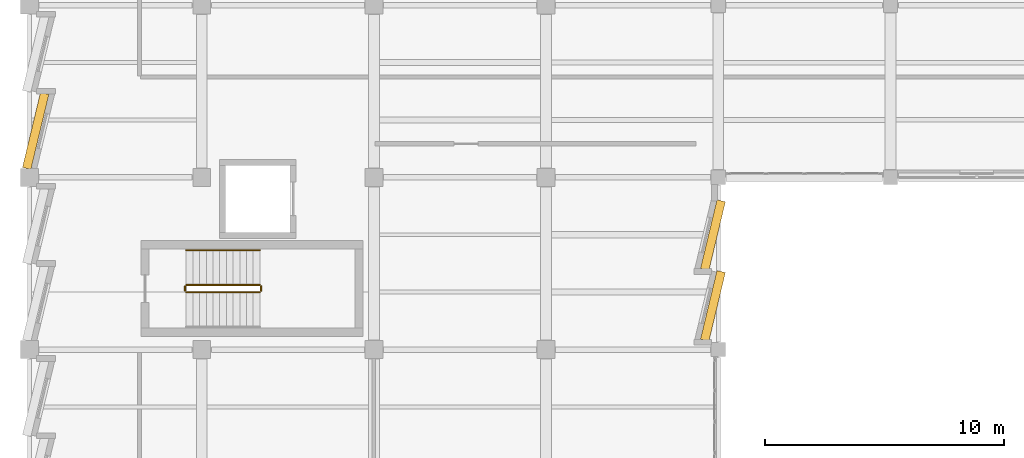
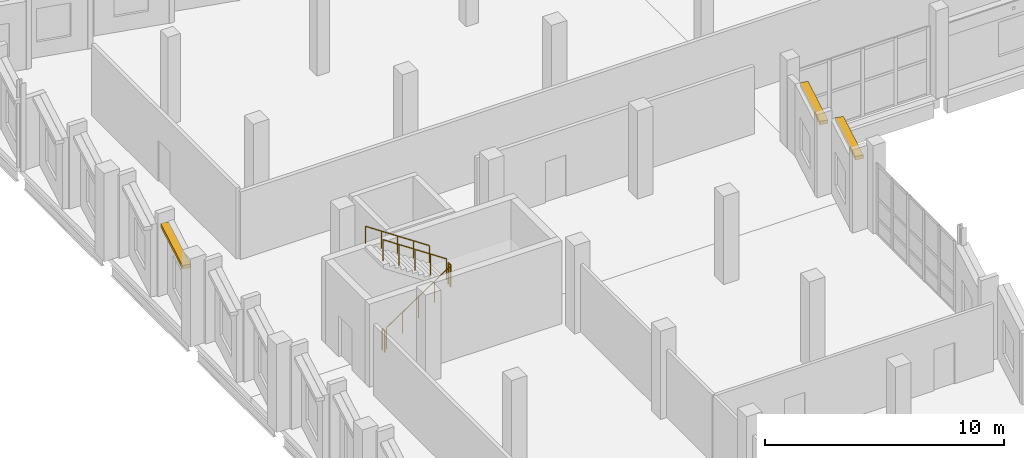
# One storey, part 112 of 123: 5 railings, 3 shading devices.
"""IFC4 building model written with IfcOpenShell, lengths in metres."""

from ifc_helpers import new_model, si_unit, direction, frame, origin, origin_2d, place, context, subcontext, project, spatial, rectangle, circle, extrude, material, layer, layer_set, type_object, element, save


model = new_model("IFC4")

# Units and contexts
model_context = context("Model", 3, precision=1e-05, world=origin(), true_north=direction((0.0, 1.0)))
body_context = subcontext(model_context, "Body", "Model", "MODEL_VIEW")
ifc_project = project(units=[si_unit("LENGTHUNIT", "METRE"), si_unit("AREAUNIT", "SQUARE_METRE"), si_unit("VOLUMEUNIT", "CUBIC_METRE"), si_unit("PLANEANGLEUNIT", "RADIAN"), si_unit("MASSUNIT", "GRAM", prefix="KILO")], contexts=[model_context])

# Site, building, storey
site_placement = place(None, origin())
site = spatial("IfcSite", under=ifc_project, at=site_placement, CompositionType="ELEMENT")
building_placement = place(site_placement, origin())
building = spatial("IfcBuilding", under=site, at=building_placement, Name="Kalmorath City Hall", CompositionType="ELEMENT")
storey_placement = place(building_placement, frame((0.0, 0.0, 10.199951171875)))
storey = spatial("IfcBuildingStorey", under=building, at=storey_placement, Name="L02", CompositionType="ELEMENT", Elevation=10.199951171875)

# Shading devices
ifc_material_1 = material(Name="Precast concrete C40/50", Category="concrete")
ifc_layer = layer(ifc_material_1, 0.179931640625)
ifc_layer_set = layer_set([ifc_layer], Name="Precast concrete C40/50")
shading_device_type = type_object("IfcShadingDeviceType", Name="Precast sawtooth brow sunshade 350", PredefinedType="USERDEFINED", material=ifc_layer_set)
shading_device_placement = place(storey_placement, frame((0.255859375, 95.541748046875, 3.48583984375), z_axis=(0.0, 0.0, 1.0), x_axis=(0.233445363856, 0.972369920398, 0.0)))
element("IfcShadingDevice", 1, at=shading_device_placement, inside=storey, type_object=shading_device_type, Name="L02 precast sawtooth hood #211", ObjectType="SUNSHADE", PredefinedType="USERDEFINED", context=body_context, shape_type="SweptSolid", body=[
    extrude(rectangle(XDim=3.220703125, YDim=0.360107421875, at=origin_2d()), origin(), (0.0, 0.0, 1.0), 0.179931640625),
])
for number, where, z_axis, x_axis, name in (
    (2, (28.575927734375, 91.185791015625, 3.48583984375), (0.0, 0.0, 1.0), (-0.233445363856, -0.972369920398, 0.0), "L02 precast sawtooth hood #261"),
    (3, (28.575927734375, 88.226806640625, 3.48583984375), (0.0, 0.0, 1.0), (-0.233445363856, -0.972369920398, 0.0), "L02 precast sawtooth hood #262"),
):
    element("IfcShadingDevice", number, at=place(storey_placement, frame(where, z_axis=z_axis, x_axis=x_axis)), inside=storey, type_object=shading_device_type, Name=name, ObjectType="SUNSHADE", PredefinedType="USERDEFINED", context=body_context, shape_type="SweptSolid", body=[
        extrude(rectangle(XDim=2.947998046875, YDim=0.360107421875, at=origin_2d()), origin(), (0.0, 0.0, 1.0), 0.179931640625),
    ])

# Railings
ifc_material_2 = material(Name="Painted steel guardrail", Category="steel")
railing_type_1 = type_object("IfcRailingType", Name="Protected stair guardrail 1100", PredefinedType="GUARDRAIL", material=ifc_material_2)
railing_1_placement = place(storey_placement, frame((6.550048828125, 88.800048828125, 0.1875)))
element("IfcRailing", 4, at=railing_1_placement, inside=storey, type_object=railing_type_1, Name="L02 ST-4 stair guard 1", PredefinedType="GUARDRAIL", context=body_context, shape_type="SweptSolid", body=[
    extrude(circle(Radius=0.02392578125, at=origin_2d()), frame((0.0, 0.0, 1.076171875), z_axis=(0.830893310487, 0.0, 0.556431762742), x_axis=(0.0, 1.0, 0.0)), (0.0, 0.0, 1.0), 3.70654296875),
    extrude(circle(Radius=0.02099609375, at=origin_2d()), origin(), (0.0, 0.0, 1.0), 1.052001953125),
    extrude(circle(Radius=0.02099609375, at=origin_2d()), frame((0.77001953125, 0.0, 0.515625)), (0.0, 0.0, 1.0), 1.052001953125),
    extrude(circle(Radius=0.02099609375, at=origin_2d()), frame((1.5400390625, 0.0, 1.03125)), (0.0, 0.0, 1.0), 1.052001953125),
    extrude(circle(Radius=0.02099609375, at=origin_2d()), frame((2.309814453125, 0.0, 1.546875)), (0.0, 0.0, 1.0), 1.052001953125),
    extrude(circle(Radius=0.02099609375, at=origin_2d()), frame((3.079833984375, 0.0, 2.0625)), (0.0, 0.0, 1.0), 1.052001953125),
])
railing_2_placement = place(storey_placement, frame((9.679931640625, 88.85009765625, 2.25)))
element("IfcRailing", 5, at=railing_2_placement, inside=storey, type_object=railing_type_1, Name="L02 ST-4 stair guard 2", PredefinedType="GUARDRAIL", context=body_context, shape_type="SweptSolid", body=[
    extrude(circle(Radius=0.02392578125, at=origin_2d()), frame((0.0, 0.0, 1.076171875), z_axis=(0.0, 1.0, 0.0), x_axis=(-1.0, 0.0, 0.0)), (0.0, 0.0, 1.0), 0.199951171875),
    extrude(circle(Radius=0.02099609375, at=origin_2d()), origin(), (0.0, 0.0, 1.0), 1.052001953125),
    extrude(circle(Radius=0.02099609375, at=origin_2d()), frame((0.0, 0.199951171875, 0.0)), (0.0, 0.0, 1.0), 1.052001953125),
])
railing_3_placement = place(storey_placement, frame((9.6298828125, 89.10009765625, 2.4375)))
element("IfcRailing", 6, at=railing_3_placement, inside=storey, type_object=railing_type_1, Name="L02 ST-4 stair guard 3", PredefinedType="GUARDRAIL", context=body_context, shape_type="SweptSolid", body=[
    extrude(circle(Radius=0.02392578125, at=origin_2d()), frame((0.0, 0.0, 1.076171875), z_axis=(-0.830893310487, 0.0, 0.556431762742), x_axis=(0.0, -1.0, 0.0)), (0.0, 0.0, 1.0), 3.70654296875),
    extrude(circle(Radius=0.02099609375, at=origin_2d()), origin(), (0.0, 0.0, 1.0), 1.052001953125),
    extrude(circle(Radius=0.02099609375, at=origin_2d()), frame((-0.77001953125, 0.0, 0.515625)), (0.0, 0.0, 1.0), 1.052001953125),
    extrude(circle(Radius=0.02099609375, at=origin_2d()), frame((-1.5400390625, 0.0, 1.03125)), (0.0, 0.0, 1.0), 1.052001953125),
    extrude(circle(Radius=0.02099609375, at=origin_2d()), frame((-2.309814453125, 0.0, 1.546875)), (0.0, 0.0, 1.0), 1.052001953125),
    extrude(circle(Radius=0.02099609375, at=origin_2d()), frame((-3.079833984375, 0.0, 2.0625)), (0.0, 0.0, 1.0), 1.052001953125),
])
railing_4_placement = place(storey_placement, frame((6.5, 88.85009765625, 0.0)))
element("IfcRailing", 7, at=railing_4_placement, inside=storey, type_object=railing_type_1, Name="L02 ST-4 stair guard 4", PredefinedType="GUARDRAIL", context=body_context, shape_type="SweptSolid", body=[
    extrude(circle(Radius=0.02392578125, at=origin_2d()), frame((0.0, 0.0, 1.076171875), z_axis=(0.0, 1.0, 0.0), x_axis=(-1.0, 0.0, 0.0)), (0.0, 0.0, 1.0), 0.199951171875),
    extrude(circle(Radius=0.02099609375, at=origin_2d()), origin(), (0.0, 0.0, 1.0), 1.052001953125),
    extrude(circle(Radius=0.02099609375, at=origin_2d()), frame((0.0, 0.199951171875, 0.0)), (0.0, 0.0, 1.0), 1.052001953125),
])
ifc_material_3 = material(Name="Brushed stainless steel handrail", Category="steel")
railing_type_2 = type_object("IfcRailingType", Name="Stair pitch handrail 900", PredefinedType="HANDRAIL", material=ifc_material_3)
railing_5_placement = place(storey_placement, frame((9.6298828125, 90.550048828125, 2.4375)))
element("IfcRailing", 8, at=railing_5_placement, inside=storey, type_object=railing_type_2, Name="L02 ST-4 stair handrail 2", PredefinedType="HANDRAIL", context=body_context, shape_type="SweptSolid", body=[
    extrude(circle(Radius=0.02392578125, at=origin_2d()), frame((0.0, 0.0, 0.8759765625), z_axis=(-0.830893310487, 0.0, 0.556431762742), x_axis=(0.0, -1.0, 0.0)), (0.0, 0.0, 1.0), 3.70654296875),
    extrude(circle(Radius=0.02099609375, at=origin_2d()), origin(), (0.0, 0.0, 1.0), 0.851806640625),
    extrude(circle(Radius=0.02099609375, at=origin_2d()), frame((-0.77001953125, 0.0, 0.515625)), (0.0, 0.0, 1.0), 0.851806640625),
    extrude(circle(Radius=0.02099609375, at=origin_2d()), frame((-1.5400390625, 0.0, 1.03125)), (0.0, 0.0, 1.0), 0.851806640625),
    extrude(circle(Radius=0.02099609375, at=origin_2d()), frame((-2.309814453125, 0.0, 1.546875)), (0.0, 0.0, 1.0), 0.851806640625),
    extrude(circle(Radius=0.02099609375, at=origin_2d()), frame((-3.079833984375, 0.0, 2.0625)), (0.0, 0.0, 1.0), 0.851806640625),
])

save(model, "model.ifc")
